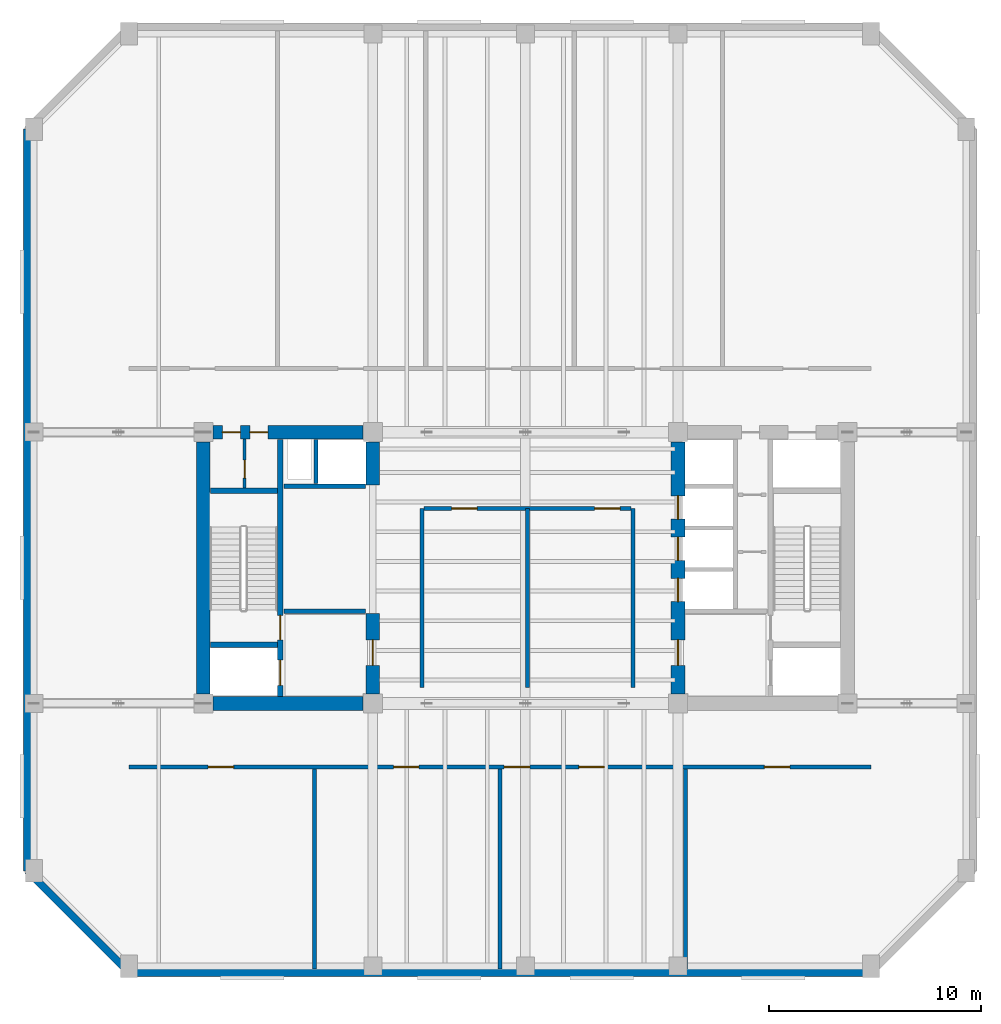
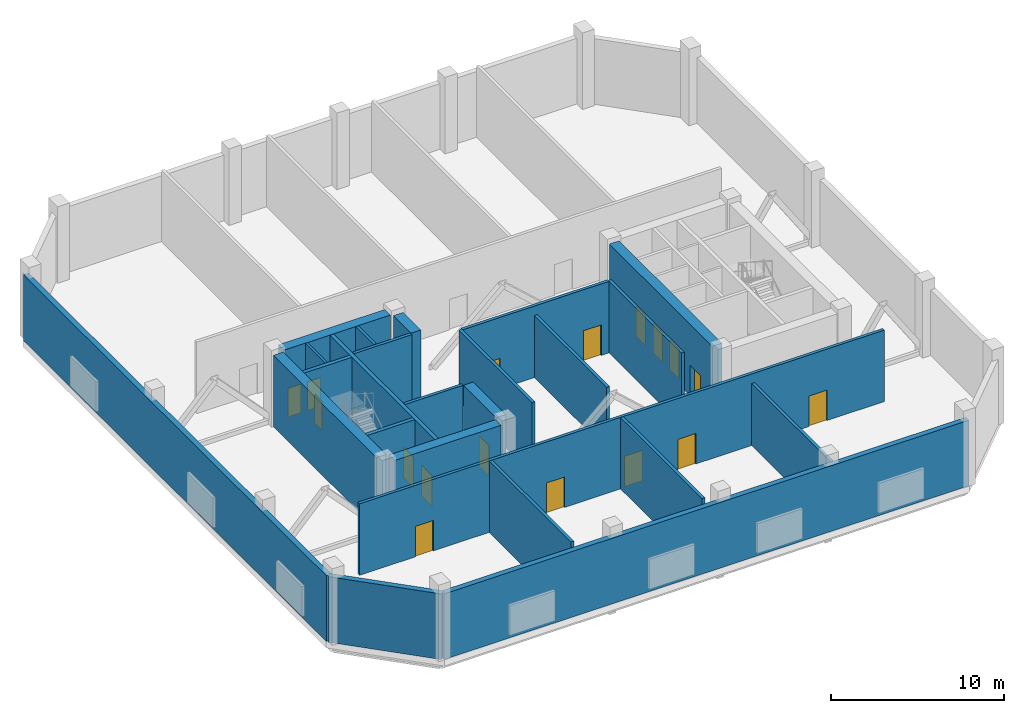
# One storey, part 5 of 9: 24 walls, 17 doors, 17 openings.
"""IFC4 building model written with IfcOpenShell, lengths in metres."""

from ifc_helpers import new_model, si_unit, direction, frame, frame_2d, origin, place, context, subcontext, project, spatial, rectangle, extrude, material, layer, layer_set, type_object, element, fill, save


model = new_model("IFC4")

# Units and contexts
model_context = context("Model", 3, precision=1e-05, world=origin(), true_north=direction((0.0, 1.0)))
body_context = subcontext(model_context, "Body", "Model", "MODEL_VIEW")
ifc_project = project(units=[si_unit("LENGTHUNIT", "METRE"), si_unit("AREAUNIT", "SQUARE_METRE"), si_unit("VOLUMEUNIT", "CUBIC_METRE"), si_unit("PLANEANGLEUNIT", "RADIAN"), si_unit("MASSUNIT", "GRAM", prefix="KILO")], contexts=[model_context])

# Site, building, storey
site_placement = place(None, origin())
site = spatial("IfcSite", under=ifc_project, at=site_placement, CompositionType="ELEMENT")
building_placement = place(site_placement, origin())
building = spatial("IfcBuilding", under=site, at=building_placement, Name="Kranthara Brick Stack", CompositionType="ELEMENT")
storey_placement = place(building_placement, frame((0.0, 0.0, 197.300048828125)))
storey = spatial("IfcBuildingStorey", under=building, at=storey_placement, Name="L51", CompositionType="ELEMENT", Elevation=197.300048828125)

# Walls
ifc_material_1 = material(Name="Kiln-fired clay brick masonry M15", Category="masonry")
ifc_layer_1 = layer(ifc_material_1, 0.35009765625)
ifc_layer_set_1 = layer_set([ifc_layer_1], Name="Kiln-fired clay brick masonry M15")
wall_type_1 = type_object("IfcWallType", Name="WL-BRK-SPND-350", PredefinedType="STANDARD", material=ifc_layer_set_1)
wall_1_placement = place(storey_placement, frame((44.300048828125, 8.094970703125, 0.0), z_axis=(0.0, 0.0, 1.0), x_axis=(-1.0, 0.0, 0.0)))
element("IfcWall", 1, at=wall_1_placement, inside=storey, type_object=wall_type_1, Name="L51 Exterior Brick Facade Wall SOUTH 1", PredefinedType="STANDARD", context=body_context, shape_type="SweptSolid", body=[
    extrude(rectangle(XDim=35.0, YDim=0.35009765625, at=frame_2d((17.5, 0.0))), origin(), (0.0, 0.0, 1.0), 4.625),
])
wall_2_placement = place(storey_placement, frame((9.300048828125, 8.094970703125, 0.0), z_axis=(0.0, 0.0, 1.0), x_axis=(-0.707106781187, 0.707106781187, 0.0)))
element("IfcWall", 2, at=wall_2_placement, inside=storey, type_object=wall_type_1, Name="L51 Exterior Brick Facade Wall SW 1", PredefinedType="STANDARD", context=body_context, shape_type="SweptSolid", body=[
    extrude(rectangle(XDim=6.795166015625, YDim=0.35009765625, at=frame_2d((3.3974609375, 0.0))), origin(), (0.0, 0.0, 1.0), 4.625),
])
wall_3_placement = place(storey_placement, frame((4.4951171875, 12.89990234375, 0.0), z_axis=(0.0, 0.0, 1.0), x_axis=(0.0, 1.0, 0.0)))
element("IfcWall", 3, at=wall_3_placement, inside=storey, type_object=wall_type_1, Name="L51 Exterior Brick Facade Wall WEST 1", PredefinedType="STANDARD", context=body_context, shape_type="SweptSolid", body=[
    extrude(rectangle(XDim=35.0, YDim=0.35009765625, at=frame_2d((17.5, 0.0))), origin(), (0.0, 0.0, 1.0), 4.625),
])

# Wall, openings, doors
ifc_material_2 = material(Name="Concrete C50/60", Category="concrete")
ifc_layer_2 = layer(ifc_material_2, 0.25)
ifc_layer_set_2 = layer_set([ifc_layer_2], Name="Concrete C50/60")
wall_type_2 = type_object("IfcWallType", Name="WL-CORE-250", PredefinedType="SHEAR", material=ifc_layer_set_2)
wall_4_placement = place(storey_placement, frame((16.43505859375, 21.135009765625, 0.0), z_axis=(0.0, 0.0, 1.0), x_axis=(0.0, 1.0, 0.0)))
wall_4 = element("IfcWall", 4, at=wall_4_placement, inside=storey, type_object=wall_type_2, Name="L51 West Core Stair Bearing Spine Wall", PredefinedType="SHEAR", context=body_context, shape_type="SweptSolid", body=[
    extrude(rectangle(XDim=12.1298828125, YDim=0.25, at=frame_2d((6.06494140625, 0.0))), origin(), (0.0, 0.0, 1.0), 5.0400390625),
])
opening_1_placement = place(wall_4_placement, frame((0.514892578125, 0.0, 0.0)))
opening_1 = element("IfcOpeningElement", 5, at=opening_1_placement, cuts=wall_4, Name="Opening LD01", PredefinedType="OPENING", context=body_context, shape_type="SweptSolid", body=[
    extrude(rectangle(XDim=1.199951171875, YDim=2.14990234375, at=frame_2d((0.60009765625, 1.074951171875))), frame((0.0, 0.135009765625, 0.0), z_axis=(0.0, -1.0, 0.0), x_axis=(1.0, 0.0, 0.0)), (0.0, 0.0, 1.0), 0.27001953125),
])
opening_2_placement = place(wall_4_placement, frame((2.6650390625, 0.0, 0.0)))
opening_2 = element("IfcOpeningElement", 6, at=opening_2_placement, cuts=wall_4, Name="Opening D05", PredefinedType="OPENING", context=body_context, shape_type="SweptSolid", body=[
    extrude(rectangle(XDim=1.14990234375, YDim=2.14990234375, at=frame_2d((0.574951171875, 1.074951171875))), frame((0.0, 0.135009765625, 0.0), z_axis=(0.0, -1.0, 0.0), x_axis=(1.0, 0.0, 0.0)), (0.0, 0.0, 1.0), 0.27001953125),
])
ifc_material_3 = material(Name="Stainless steel sliding landing door", Category="steel")
door_type_1 = type_object("IfcDoorType", Name="DR-LD-FF1200", OperationType="DOUBLE_DOOR_SLIDING", PredefinedType="DOOR", material=ifc_material_3)
door_1_placement = place(opening_1_placement, origin())
door_1 = element("IfcDoor", 7, at=door_1_placement, inside=storey, type_object=door_type_1, Name="L51 Firefighting Lift FF-01 Landing Door", OperationType="DOUBLE_DOOR_SLIDING", OverallHeight=2.14990234375, OverallWidth=1.199951171875, PredefinedType="DOOR", context=body_context, shape_type="SweptSolid", body=[
    extrude(rectangle(XDim=1.199951171875, YDim=2.14990234375, at=frame_2d((0.60009765625, 1.074951171875))), frame((0.0, 0.02490234375, 0.0), z_axis=(0.0, -1.0, 0.0), x_axis=(1.0, 0.0, 0.0)), (0.0, 0.0, 1.0), 0.050048828125),
])
fill(opening_1, door_1)
ifc_material_4 = material(Name="Solid-core hardwood timber leaf in steel frame", Category="steel")
door_type_2 = type_object("IfcDoorType", Name="DR-ST-1150", OperationType="NOTDEFINED", PredefinedType="DOOR", material=ifc_material_4)
door_2_placement = place(opening_2_placement, origin())
door_2 = element("IfcDoor", 8, at=door_2_placement, inside=storey, type_object=door_type_2, Name="L51 Exit Stair ST01 Door", OperationType="SINGLE_SWING_RIGHT", OverallHeight=2.14990234375, OverallWidth=1.14990234375, PredefinedType="DOOR", context=body_context, shape_type="SweptSolid", body=[
    extrude(rectangle(XDim=1.14990234375, YDim=2.14990234375, at=frame_2d((0.574951171875, 1.074951171875))), frame((0.0, 0.02490234375, 0.0), z_axis=(0.0, -1.0, 0.0), x_axis=(1.0, 0.0, 0.0)), (0.0, 0.0, 1.0), 0.050048828125),
])
fill(opening_2, door_2)

# Walls
for number, where, z_axis, x_axis, name in (
    (9, (13.135009765625, 23.570068359375, 0.0), (0.0, 0.0, 1.0), (1.0, 0.0, 0.0), "L51 West Stairwell Bearing Wall WFF"),
    (10, (13.135009765625, 30.830078125, 0.0), (0.0, 0.0, 1.0), (1.0, 0.0, 0.0), "L51 West Stairwell Bearing Wall WST"),
):
    element("IfcWall", number, at=place(storey_placement, frame(where, z_axis=z_axis, x_axis=x_axis)), inside=storey, type_object=wall_type_2, Name=name, PredefinedType="SHEAR", context=body_context, shape_type="SweptSolid", body=[
        extrude(rectangle(XDim=3.175048828125, YDim=0.25, at=frame_2d((1.58740234375, 0.0))), origin(), (0.0, 0.0, 1.0), 5.0400390625),
    ])
ifc_material_5 = material(Name="Concrete C60/75", Category="concrete")
ifc_layer_3 = layer(ifc_material_5, 0.64990234375)
ifc_layer_set_3 = layer_set([ifc_layer_3], Name="Concrete C60/75")
wall_type_3 = type_object("IfcWallType", Name="WL-CORE-650", PredefinedType="SHEAR", material=ifc_layer_set_3)
wall_5_placement = place(storey_placement, frame((12.800048828125, 21.2548828125, 0.0), z_axis=(0.0, 0.0, 1.0), x_axis=(0.0, 1.0, 0.0)))
element("IfcWall", 11, at=wall_5_placement, inside=storey, type_object=wall_type_3, Name="L51 West Core Shear Wall West", PredefinedType="SHEAR", context=body_context, shape_type="SweptSolid", body=[
    extrude(rectangle(XDim=11.89013671875, YDim=0.64990234375, at=frame_2d((5.945068359375, 0.0))), origin(), (0.0, 0.0, 1.0), 5.0400390625),
])
wall_6_placement = place(storey_placement, frame((13.2548828125, 20.800048828125, 0.0), z_axis=(0.0, 0.0, 1.0), x_axis=(1.0, 0.0, 0.0)))
element("IfcWall", 12, at=wall_6_placement, inside=storey, type_object=wall_type_3, Name="L51 West Core Shear Wall South", PredefinedType="SHEAR", context=body_context, shape_type="SweptSolid", body=[
    extrude(rectangle(XDim=7.090087890625, YDim=0.64990234375, at=frame_2d((3.544921875, 0.0))), origin(), (0.0, 0.0, 1.0), 5.0400390625),
])

# Wall, openings, doors
wall_7_placement = place(storey_placement, frame((13.2548828125, 33.60009765625, 0.0), z_axis=(0.0, 0.0, 1.0), x_axis=(1.0, 0.0, 0.0)))
wall_7 = element("IfcWall", 13, at=wall_7_placement, inside=storey, type_object=wall_type_3, Name="L51 West Core Shear Wall North", PredefinedType="SHEAR", context=body_context, shape_type="SweptSolid", body=[
    extrude(rectangle(XDim=7.090087890625, YDim=0.64990234375, at=frame_2d((3.544921875, 0.0))), origin(), (0.0, 0.0, 1.0), 5.0400390625),
])
opening_3_placement = place(wall_7_placement, frame((0.445068359375, 0.0, 0.0)))
opening_3 = element("IfcOpeningElement", 14, at=opening_3_placement, cuts=wall_7, Name="Opening D10", PredefinedType="OPENING", context=body_context, shape_type="SweptSolid", body=[
    extrude(rectangle(XDim=0.85009765625, YDim=2.02001953125, at=frame_2d((0.425048828125, 1.010009765625))), frame((0.0, 0.3349609375, 0.0), z_axis=(0.0, -1.0, 0.0), x_axis=(1.0, 0.0, 0.0)), (0.0, 0.0, 1.0), 0.669921875),
])
opening_4_placement = place(wall_7_placement, frame((1.7451171875, 0.0, 0.0)))
opening_4 = element("IfcOpeningElement", 15, at=opening_4_placement, cuts=wall_7, Name="Opening D10", PredefinedType="OPENING", context=body_context, shape_type="SweptSolid", body=[
    extrude(rectangle(XDim=0.85009765625, YDim=2.02001953125, at=frame_2d((0.425048828125, 1.010009765625))), frame((0.0, 0.3349609375, 0.0), z_axis=(0.0, -1.0, 0.0), x_axis=(1.0, 0.0, 0.0)), (0.0, 0.0, 1.0), 0.669921875),
])
ifc_material_6 = material(Name="Solid-core hardwood timber leaf in steel frame", Category="steel")
door_type_3 = type_object("IfcDoorType", Name="DR-RSR-850", OperationType="NOTDEFINED", PredefinedType="DOOR", material=ifc_material_6)
door_3_placement = place(opening_3_placement, origin())
door_3 = element("IfcDoor", 16, at=door_3_placement, inside=storey, type_object=door_type_3, Name="L51 West Core Service Door 1", OperationType="SINGLE_SWING_LEFT", OverallHeight=2.02001953125, OverallWidth=0.85009765625, PredefinedType="DOOR", context=body_context, shape_type="SweptSolid", body=[
    extrude(rectangle(XDim=0.85009765625, YDim=2.02001953125, at=frame_2d((0.425048828125, 1.010009765625))), frame((0.0, 0.02490234375, 0.0), z_axis=(0.0, -1.0, 0.0), x_axis=(1.0, 0.0, 0.0)), (0.0, 0.0, 1.0), 0.050048828125),
])
fill(opening_3, door_3)
door_4_placement = place(opening_4_placement, origin())
door_4 = element("IfcDoor", 17, at=door_4_placement, inside=storey, type_object=door_type_3, Name="L51 West Core Service Door 2", OperationType="SINGLE_SWING_RIGHT", OverallHeight=2.02001953125, OverallWidth=0.85009765625, PredefinedType="DOOR", context=body_context, shape_type="SweptSolid", body=[
    extrude(rectangle(XDim=0.85009765625, YDim=2.02001953125, at=frame_2d((0.425048828125, 1.010009765625))), frame((0.0, 0.02490234375, 0.0), z_axis=(0.0, -1.0, 0.0), x_axis=(1.0, 0.0, 0.0)), (0.0, 0.0, 1.0), 0.050048828125),
])
fill(opening_4, door_4)

# Wall, opening, door
wall_8_placement = place(storey_placement, frame((20.800048828125, 21.2548828125, 0.0), z_axis=(0.0, 0.0, 1.0), x_axis=(0.0, 1.0, 0.0)))
wall_8 = element("IfcWall", 18, at=wall_8_placement, inside=storey, type_object=wall_type_3, Name="L51 West Core Lobby Shear Wall", PredefinedType="SHEAR", context=body_context, shape_type="SweptSolid", body=[
    extrude(rectangle(XDim=3.795166015625, YDim=0.64990234375, at=frame_2d((1.8974609375, 0.0))), origin(), (0.0, 0.0, 1.0), 5.0400390625),
])
opening_5_placement = place(wall_8_placement, frame((1.344970703125, 0.0, 0.0)))
opening_5 = element("IfcOpeningElement", 19, at=opening_5_placement, cuts=wall_8, Name="Opening D06", PredefinedType="OPENING", context=body_context, shape_type="SweptSolid", body=[
    extrude(rectangle(XDim=1.199951171875, YDim=2.14990234375, at=frame_2d((0.60009765625, 1.074951171875))), frame((0.0, 0.3349609375, 0.0), z_axis=(0.0, -1.0, 0.0), x_axis=(1.0, 0.0, 0.0)), (0.0, 0.0, 1.0), 0.669921875),
])
ifc_material_7 = material(Name="Solid-core hardwood timber leaf in steel frame", Category="steel")
door_type_4 = type_object("IfcDoorType", Name="DR-FFL-1200", OperationType="NOTDEFINED", PredefinedType="DOOR", material=ifc_material_7)
door_5_placement = place(opening_5_placement, origin())
door_5 = element("IfcDoor", 20, at=door_5_placement, inside=storey, type_object=door_type_4, Name="L51 West Firefighting Lobby Door", OperationType="SINGLE_SWING_LEFT", OverallHeight=2.14990234375, OverallWidth=1.199951171875, PredefinedType="DOOR", context=body_context, shape_type="SweptSolid", body=[
    extrude(rectangle(XDim=1.199951171875, YDim=2.14990234375, at=frame_2d((0.60009765625, 1.074951171875))), frame((0.0, 0.02490234375, 0.0), z_axis=(0.0, -1.0, 0.0), x_axis=(1.0, 0.0, 0.0)), (0.0, 0.0, 1.0), 0.050048828125),
])
fill(opening_5, door_5)

# Wall
wall_9_placement = place(storey_placement, frame((20.800048828125, 31.10009765625, 0.0), z_axis=(0.0, 0.0, 1.0), x_axis=(0.0, 1.0, 0.0)))
element("IfcWall", 21, at=wall_9_placement, inside=storey, type_object=wall_type_3, Name="L51 West Core High-Rise Lift Wall", PredefinedType="SHEAR", context=body_context, shape_type="SweptSolid", body=[
    extrude(rectangle(XDim=2.044921875, YDim=0.64990234375, at=frame_2d((1.0224609375, 0.0))), origin(), (0.0, 0.0, 1.0), 5.0400390625),
])

# Wall, openings, doors
wall_10_placement = place(storey_placement, frame((35.199951171875, 21.2548828125, 0.0), z_axis=(0.0, 0.0, 1.0), x_axis=(0.0, 1.0, 0.0)))
wall_10 = element("IfcWall", 22, at=wall_10_placement, inside=storey, type_object=wall_type_3, Name="L51 East Core Shear Wall West", PredefinedType="SHEAR", context=body_context, shape_type="SweptSolid", body=[
    extrude(rectangle(XDim=11.89013671875, YDim=0.64990234375, at=frame_2d((5.945068359375, 0.0))), origin(), (0.0, 0.0, 1.0), 5.0400390625),
])
opening_6_placement = place(wall_10_placement, frame((1.344970703125, 0.0, 0.0)))
opening_6 = element("IfcOpeningElement", 23, at=opening_6_placement, cuts=wall_10, Name="Opening D06", PredefinedType="OPENING", context=body_context, shape_type="SweptSolid", body=[
    extrude(rectangle(XDim=1.199951171875, YDim=2.14990234375, at=frame_2d((0.60009765625, 1.074951171875))), frame((0.0, 0.3349609375, 0.0), z_axis=(0.0, -1.0, 0.0), x_axis=(1.0, 0.0, 0.0)), (0.0, 0.0, 1.0), 0.669921875),
])
opening_7_placement = place(wall_10_placement, frame((4.344970703125, 0.0, 0.0)))
opening_7 = element("IfcOpeningElement", 24, at=opening_7_placement, cuts=wall_10, Name="Opening LD02", PredefinedType="OPENING", context=body_context, shape_type="SweptSolid", body=[
    extrude(rectangle(XDim=1.10009765625, YDim=2.10009765625, at=frame_2d((0.550048828125, 1.050048828125))), frame((0.0, 0.3349609375, 0.0), z_axis=(0.0, -1.0, 0.0), x_axis=(1.0, 0.0, 0.0)), (0.0, 0.0, 1.0), 0.669921875),
])
opening_8_placement = place(wall_10_placement, frame((6.294921875, 0.0, 0.0)))
opening_8 = element("IfcOpeningElement", 25, at=opening_8_placement, cuts=wall_10, Name="Opening LD02", PredefinedType="OPENING", context=body_context, shape_type="SweptSolid", body=[
    extrude(rectangle(XDim=1.10009765625, YDim=2.10009765625, at=frame_2d((0.550048828125, 1.050048828125))), frame((0.0, 0.3349609375, 0.0), z_axis=(0.0, -1.0, 0.0), x_axis=(1.0, 0.0, 0.0)), (0.0, 0.0, 1.0), 0.669921875),
])
opening_9_placement = place(wall_10_placement, frame((8.2451171875, 0.0, 0.0)))
opening_9 = element("IfcOpeningElement", 26, at=opening_9_placement, cuts=wall_10, Name="Opening LD02", PredefinedType="OPENING", context=body_context, shape_type="SweptSolid", body=[
    extrude(rectangle(XDim=1.10009765625, YDim=2.10009765625, at=frame_2d((0.550048828125, 1.050048828125))), frame((0.0, 0.3349609375, 0.0), z_axis=(0.0, -1.0, 0.0), x_axis=(1.0, 0.0, 0.0)), (0.0, 0.0, 1.0), 0.669921875),
])
door_6_placement = place(opening_6_placement, origin())
door_6 = element("IfcDoor", 27, at=door_6_placement, inside=storey, type_object=door_type_4, Name="L51 East Firefighting Lobby Door", OperationType="SINGLE_SWING_RIGHT", OverallHeight=2.14990234375, OverallWidth=1.199951171875, PredefinedType="DOOR", context=body_context, shape_type="SweptSolid", body=[
    extrude(rectangle(XDim=1.199951171875, YDim=2.14990234375, at=frame_2d((0.60009765625, 1.074951171875))), frame((0.0, 0.02490234375, 0.0), z_axis=(0.0, -1.0, 0.0), x_axis=(1.0, 0.0, 0.0)), (0.0, 0.0, 1.0), 0.050048828125),
])
fill(opening_6, door_6)
ifc_material_8 = material(Name="Stainless steel sliding landing door", Category="steel")
door_type_5 = type_object("IfcDoorType", Name="DR-LD-PL1100", OperationType="DOUBLE_DOOR_SLIDING", PredefinedType="DOOR", material=ifc_material_8)
door_7_placement = place(opening_7_placement, origin())
door_7 = element("IfcDoor", 28, at=door_7_placement, inside=storey, type_object=door_type_5, Name="L51 PL-04 Lift Landing Door", OperationType="DOUBLE_DOOR_SLIDING", OverallHeight=2.10009765625, OverallWidth=1.10009765625, PredefinedType="DOOR", context=body_context, shape_type="SweptSolid", body=[
    extrude(rectangle(XDim=1.10009765625, YDim=2.10009765625, at=frame_2d((0.550048828125, 1.050048828125))), frame((0.0, 0.02490234375, 0.0), z_axis=(0.0, -1.0, 0.0), x_axis=(1.0, 0.0, 0.0)), (0.0, 0.0, 1.0), 0.050048828125),
])
fill(opening_7, door_7)
door_8_placement = place(opening_8_placement, origin())
door_8 = element("IfcDoor", 29, at=door_8_placement, inside=storey, type_object=door_type_5, Name="L51 PL-05 Lift Landing Door", OperationType="DOUBLE_DOOR_SLIDING", OverallHeight=2.10009765625, OverallWidth=1.10009765625, PredefinedType="DOOR", context=body_context, shape_type="SweptSolid", body=[
    extrude(rectangle(XDim=1.10009765625, YDim=2.10009765625, at=frame_2d((0.550048828125, 1.050048828125))), frame((0.0, 0.02490234375, 0.0), z_axis=(0.0, -1.0, 0.0), x_axis=(1.0, 0.0, 0.0)), (0.0, 0.0, 1.0), 0.050048828125),
])
fill(opening_8, door_8)
door_9_placement = place(opening_9_placement, origin())
door_9 = element("IfcDoor", 30, at=door_9_placement, inside=storey, type_object=door_type_5, Name="L51 PL-06 Lift Landing Door", OperationType="DOUBLE_DOOR_SLIDING", OverallHeight=2.10009765625, OverallWidth=1.10009765625, PredefinedType="DOOR", context=body_context, shape_type="SweptSolid", body=[
    extrude(rectangle(XDim=1.10009765625, YDim=2.10009765625, at=frame_2d((0.550048828125, 1.050048828125))), frame((0.0, 0.02490234375, 0.0), z_axis=(0.0, -1.0, 0.0), x_axis=(1.0, 0.0, 0.0)), (0.0, 0.0, 1.0), 0.050048828125),
])
fill(opening_9, door_9)

# Wall, opening, door
ifc_material_9 = material(Name="Fire-rated gypsum board partition", Category="other")
ifc_layer_4 = layer(ifc_material_9, 0.14990234375)
ifc_layer_set_4 = layer_set([ifc_layer_4], Name="Fire-rated gypsum board partition")
wall_type_4 = type_object("IfcWallType", Name="WL-PART-150", PredefinedType="PARTITIONING", material=ifc_layer_set_4)
wall_11_placement = place(storey_placement, frame((14.75, 30.9599609375, 0.0), z_axis=(0.0, 0.0, 1.0), x_axis=(0.0, 1.0, 0.0)))
wall_11 = element("IfcWall", 31, at=wall_11_placement, inside=storey, type_object=wall_type_4, Name="L51 Interior Partition 001", PredefinedType="PARTITIONING", context=body_context, shape_type="SweptSolid", body=[
    extrude(rectangle(XDim=2.31005859375, YDim=0.14990234375, at=frame_2d((1.155029296875, 0.0))), origin(), (0.0, 0.0, 1.0), 5.0400390625),
])
opening_10_placement = place(wall_11_placement, frame((0.469970703125, 0.0, 0.0)))
opening_10 = element("IfcOpeningElement", 32, at=opening_10_placement, cuts=wall_11, Name="Opening D10", PredefinedType="OPENING", context=body_context, shape_type="SweptSolid", body=[
    extrude(rectangle(XDim=0.85009765625, YDim=2.02001953125, at=frame_2d((0.425048828125, 1.010009765625))), frame((0.0, 0.0849609375, 0.0), z_axis=(0.0, -1.0, 0.0), x_axis=(1.0, 0.0, 0.0)), (0.0, 0.0, 1.0), 0.169921875),
])
door_10_placement = place(opening_10_placement, origin())
door_10 = element("IfcDoor", 33, at=door_10_placement, inside=storey, type_object=door_type_3, Name="L51 Service Interconnect 01", OperationType="SINGLE_SWING_LEFT", OverallHeight=2.02001953125, OverallWidth=0.85009765625, PredefinedType="DOOR", context=body_context, shape_type="SweptSolid", body=[
    extrude(rectangle(XDim=0.85009765625, YDim=2.02001953125, at=frame_2d((0.425048828125, 1.010009765625))), frame((0.0, 0.02490234375, 0.0), z_axis=(0.0, -1.0, 0.0), x_axis=(1.0, 0.0, 0.0)), (0.0, 0.0, 1.0), 0.050048828125),
])
fill(opening_10, door_10)

# Walls
ifc_material_10 = material(Name="Gypsum plasterboard on acoustic twin stud", Category="other")
ifc_layer_5 = layer(ifc_material_10, 0.179931640625)
ifc_layer_set_5 = layer_set([ifc_layer_5], Name="Gypsum plasterboard on acoustic twin stud")
wall_type_5 = type_object("IfcWallType", Name="WL-PART-180", PredefinedType="PARTITIONING", material=ifc_layer_set_5)
wall_12_placement = place(storey_placement, frame((18.1201171875, 31.169921875, 0.0), z_axis=(0.0, 0.0, 1.0), x_axis=(0.0, 1.0, 0.0)))
element("IfcWall", 34, at=wall_12_placement, inside=storey, type_object=wall_type_5, Name="L51 PL-07 Shaft Back Wall", PredefinedType="PARTITIONING", context=body_context, shape_type="SweptSolid", body=[
    extrude(rectangle(XDim=2.094970703125, YDim=0.179931640625, at=frame_2d((1.04736328125, 0.0))), origin(), (0.0, 0.0, 1.0), 5.0400390625),
])
ifc_material_11 = material(Name="Concrete C40/50", Category="concrete")
ifc_layer_6 = layer(ifc_material_11, 0.199951171875)
ifc_layer_set_6 = layer_set([ifc_layer_6], Name="Concrete C40/50")
wall_type_6 = type_object("IfcWallType", Name="WL-PART-200", PredefinedType="SOLIDWALL", material=ifc_layer_set_6)
for number, where, z_axis, x_axis, name in (
    (35, (16.60009765625, 25.14990234375, 0.0), (0.0, 0.0, 1.0), (1.0, 0.0, 0.0), "L51 West Core Cross Wall WFL"),
    (36, (16.60009765625, 31.050048828125, 0.0), (0.0, 0.0, 1.0), (1.0, 0.0, 0.0), "L51 West Core Cross Wall WH4"),
):
    element("IfcWall", number, at=place(storey_placement, frame(where, z_axis=z_axis, x_axis=x_axis)), inside=storey, type_object=wall_type_6, Name=name, PredefinedType="SOLIDWALL", context=body_context, shape_type="SweptSolid", body=[
        extrude(rectangle(XDim=3.849853515625, YDim=0.199951171875, at=frame_2d((1.9248046875, 0.0))), origin(), (0.0, 0.0, 1.0), 5.0400390625),
    ])

# Wall, openings, doors
wall_13_placement = place(storey_placement, frame((9.300048828125, 17.800048828125, 0.0), z_axis=(0.0, 0.0, 1.0), x_axis=(1.0, 0.0, 0.0)))
wall_13 = element("IfcWall", 37, at=wall_13_placement, inside=storey, type_object=wall_type_6, Name="L51 Interior Partition 004", PredefinedType="SOLIDWALL", context=body_context, shape_type="SweptSolid", body=[
    extrude(rectangle(XDim=35.0, YDim=0.199951171875, at=frame_2d((17.5, 0.0))), origin(), (0.0, 0.0, 1.0), 5.0400390625),
])
opening_11_placement = place(wall_13_placement, frame((3.72509765625, 0.0, 0.0)))
opening_11 = element("IfcOpeningElement", 38, at=opening_11_placement, cuts=wall_13, Name="Opening D21", PredefinedType="OPENING", context=body_context, shape_type="SweptSolid", body=[
    extrude(rectangle(XDim=1.199951171875, YDim=2.14990234375, at=frame_2d((0.60009765625, 1.074951171875))), frame((0.0, 0.10986328125, 0.0), z_axis=(0.0, -1.0, 0.0), x_axis=(1.0, 0.0, 0.0)), (0.0, 0.0, 1.0), 0.219970703125),
])
opening_12_placement = place(wall_13_placement, frame((12.47509765625, 0.0, 0.0)))
opening_12 = element("IfcOpeningElement", 39, at=opening_12_placement, cuts=wall_13, Name="Opening D21", PredefinedType="OPENING", context=body_context, shape_type="SweptSolid", body=[
    extrude(rectangle(XDim=1.199951171875, YDim=2.14990234375, at=frame_2d((0.60009765625, 1.074951171875))), frame((0.0, 0.10986328125, 0.0), z_axis=(0.0, -1.0, 0.0), x_axis=(1.0, 0.0, 0.0)), (0.0, 0.0, 1.0), 0.219970703125),
])
opening_13_placement = place(wall_13_placement, frame((21.22509765625, 0.0, 0.0)))
opening_13 = element("IfcOpeningElement", 40, at=opening_13_placement, cuts=wall_13, Name="Opening D21", PredefinedType="OPENING", context=body_context, shape_type="SweptSolid", body=[
    extrude(rectangle(XDim=1.199951171875, YDim=2.14990234375, at=frame_2d((0.60009765625, 1.074951171875))), frame((0.0, 0.10986328125, 0.0), z_axis=(0.0, -1.0, 0.0), x_axis=(1.0, 0.0, 0.0)), (0.0, 0.0, 1.0), 0.219970703125),
])
opening_14_placement = place(wall_13_placement, frame((29.97509765625, 0.0, 0.0)))
opening_14 = element("IfcOpeningElement", 41, at=opening_14_placement, cuts=wall_13, Name="Opening D21", PredefinedType="OPENING", context=body_context, shape_type="SweptSolid", body=[
    extrude(rectangle(XDim=1.199951171875, YDim=2.14990234375, at=frame_2d((0.60009765625, 1.074951171875))), frame((0.0, 0.10986328125, 0.0), z_axis=(0.0, -1.0, 0.0), x_axis=(1.0, 0.0, 0.0)), (0.0, 0.0, 1.0), 0.219970703125),
])
opening_15_placement = place(wall_13_placement, frame((17.699951171875, 0.0, 0.0)))
opening_15 = element("IfcOpeningElement", 42, at=opening_15_placement, cuts=wall_13, Name="Opening VG02", PredefinedType="OPENING", context=body_context, shape_type="SweptSolid", body=[
    extrude(rectangle(XDim=1.199951171875, YDim=2.14990234375, at=frame_2d((0.60009765625, 1.074951171875))), frame((0.0, 0.10986328125, 0.0), z_axis=(0.0, -1.0, 0.0), x_axis=(1.0, 0.0, 0.0)), (0.0, 0.0, 1.0), 0.219970703125),
])
ifc_material_12 = material(Name="Solid-core hardwood timber leaf in steel frame", Category="steel")
door_type_6 = type_object("IfcDoorType", Name="DR-FD-1200", OperationType="NOTDEFINED", PredefinedType="DOOR", material=ifc_material_12)
door_11_placement = place(opening_11_placement, origin())
door_11 = element("IfcDoor", 43, at=door_11_placement, inside=storey, type_object=door_type_6, Name="L51 PLT-01 06", OperationType="SINGLE_SWING_RIGHT", OverallHeight=2.14990234375, OverallWidth=1.199951171875, PredefinedType="DOOR", context=body_context, shape_type="SweptSolid", body=[
    extrude(rectangle(XDim=1.199951171875, YDim=2.14990234375, at=frame_2d((0.60009765625, 1.074951171875))), frame((0.0, 0.02490234375, 0.0), z_axis=(0.0, -1.0, 0.0), x_axis=(1.0, 0.0, 0.0)), (0.0, 0.0, 1.0), 0.050048828125),
])
fill(opening_11, door_11)
door_12_placement = place(opening_12_placement, origin())
door_12 = element("IfcDoor", 44, at=door_12_placement, inside=storey, type_object=door_type_6, Name="L51 REF-S 07", OperationType="SINGLE_SWING_LEFT", OverallHeight=2.14990234375, OverallWidth=1.199951171875, PredefinedType="DOOR", context=body_context, shape_type="SweptSolid", body=[
    extrude(rectangle(XDim=1.199951171875, YDim=2.14990234375, at=frame_2d((0.60009765625, 1.074951171875))), frame((0.0, 0.02490234375, 0.0), z_axis=(0.0, -1.0, 0.0), x_axis=(1.0, 0.0, 0.0)), (0.0, 0.0, 1.0), 0.050048828125),
])
fill(opening_12, door_12)
door_13_placement = place(opening_13_placement, origin())
door_13 = element("IfcDoor", 45, at=door_13_placement, inside=storey, type_object=door_type_6, Name="L51 PLT-02 08", OperationType="SINGLE_SWING_RIGHT", OverallHeight=2.14990234375, OverallWidth=1.199951171875, PredefinedType="DOOR", context=body_context, shape_type="SweptSolid", body=[
    extrude(rectangle(XDim=1.199951171875, YDim=2.14990234375, at=frame_2d((0.60009765625, 1.074951171875))), frame((0.0, 0.02490234375, 0.0), z_axis=(0.0, -1.0, 0.0), x_axis=(1.0, 0.0, 0.0)), (0.0, 0.0, 1.0), 0.050048828125),
])
fill(opening_13, door_13)
door_14_placement = place(opening_14_placement, origin())
door_14 = element("IfcDoor", 46, at=door_14_placement, inside=storey, type_object=door_type_6, Name="L51 PLT-03 09", OperationType="SINGLE_SWING_LEFT", OverallHeight=2.14990234375, OverallWidth=1.199951171875, PredefinedType="DOOR", context=body_context, shape_type="SweptSolid", body=[
    extrude(rectangle(XDim=1.199951171875, YDim=2.14990234375, at=frame_2d((0.60009765625, 1.074951171875))), frame((0.0, 0.02490234375, 0.0), z_axis=(0.0, -1.0, 0.0), x_axis=(1.0, 0.0, 0.0)), (0.0, 0.0, 1.0), 0.050048828125),
])
fill(opening_14, door_14)
ifc_material_13 = material(Name="Powder-coated galvanized steel sheet", Category="steel")
door_type_7 = type_object("IfcDoorType", Name="DR-PGATE-1200", OperationType="NOTDEFINED", PredefinedType="GATE", material=ifc_material_13)
door_15_placement = place(opening_15_placement, origin())
door_15 = element("IfcDoor", 47, at=door_15_placement, inside=storey, type_object=door_type_7, Name="L51 Mechanical Plant Security Gate", OperationType="SINGLE_SWING_LEFT", OverallHeight=2.14990234375, OverallWidth=1.199951171875, PredefinedType="GATE", context=body_context, shape_type="SweptSolid", body=[
    extrude(rectangle(XDim=1.199951171875, YDim=2.14990234375, at=frame_2d((0.60009765625, 1.074951171875))), frame((0.0, 0.02490234375, 0.0), z_axis=(0.0, -1.0, 0.0), x_axis=(1.0, 0.0, 0.0)), (0.0, 0.0, 1.0), 0.050048828125),
])
fill(opening_15, door_15)

# Walls
for number, where, z_axis, x_axis, name in (
    (48, (23.1201171875, 21.550048828125, 0.0), (0.0, 0.0, 1.0), (0.0, 1.0, 0.0), "L51 Interior Partition 006"),
    (49, (33.080078125, 21.550048828125, 0.0), (0.0, 0.0, 1.0), (0.0, 1.0, 0.0), "L51 Interior Partition 007"),
):
    element("IfcWall", number, at=place(storey_placement, frame(where, z_axis=z_axis, x_axis=x_axis)), inside=storey, type_object=wall_type_6, Name=name, PredefinedType="SOLIDWALL", context=body_context, shape_type="SweptSolid", body=[
        extrude(rectangle(XDim=8.449951171875, YDim=0.199951171875, at=frame_2d((4.22509765625, 0.0))), origin(), (0.0, 0.0, 1.0), 5.0400390625),
    ])
wall_14_placement = place(storey_placement, frame((28.10009765625, 21.550048828125, 0.0), z_axis=(0.0, 0.0, 1.0), x_axis=(0.0, 1.0, 0.0)))
element("IfcWall", 50, at=wall_14_placement, inside=storey, type_object=wall_type_6, Name="L51 Interior Partition 008", PredefinedType="SOLIDWALL", context=body_context, shape_type="SweptSolid", body=[
    extrude(rectangle(XDim=8.449951171875, YDim=0.199951171875, at=frame_2d((4.22509765625, 0.0))), origin(), (0.0, 0.0, 1.0), 4.375),
])

# Wall, openings, doors
wall_15_placement = place(storey_placement, frame((23.22509765625, 30.0, 0.0), z_axis=(0.0, 0.0, 1.0), x_axis=(1.0, 0.0, 0.0)))
wall_15 = element("IfcWall", 51, at=wall_15_placement, inside=storey, type_object=wall_type_6, Name="L51 Interior Partition 009", PredefinedType="SOLIDWALL", context=body_context, shape_type="SweptSolid", body=[
    extrude(rectangle(XDim=9.75, YDim=0.199951171875, at=frame_2d((4.875, 0.0))), origin(), (0.0, 0.0, 1.0), 5.0400390625),
])
opening_16_placement = place(wall_15_placement, frame((1.294921875, 0.0, 0.0)))
opening_16 = element("IfcOpeningElement", 52, at=opening_16_placement, cuts=wall_15, Name="Opening D21", PredefinedType="OPENING", context=body_context, shape_type="SweptSolid", body=[
    extrude(rectangle(XDim=1.199951171875, YDim=2.14990234375, at=frame_2d((0.60009765625, 1.074951171875))), frame((0.0, 0.10986328125, 0.0), z_axis=(0.0, -1.0, 0.0), x_axis=(1.0, 0.0, 0.0)), (0.0, 0.0, 1.0), 0.219970703125),
])
opening_17_placement = place(wall_15_placement, frame((8.044921875, 0.0, 0.0)))
opening_17 = element("IfcOpeningElement", 53, at=opening_17_placement, cuts=wall_15, Name="Opening D21", PredefinedType="OPENING", context=body_context, shape_type="SweptSolid", body=[
    extrude(rectangle(XDim=1.199951171875, YDim=2.14990234375, at=frame_2d((0.60009765625, 1.074951171875))), frame((0.0, 0.10986328125, 0.0), z_axis=(0.0, -1.0, 0.0), x_axis=(1.0, 0.0, 0.0)), (0.0, 0.0, 1.0), 0.219970703125),
])
door_16_placement = place(opening_16_placement, origin())
door_16 = element("IfcDoor", 54, at=door_16_placement, inside=storey, type_object=door_type_6, Name="L51 West Refuge Area Door 04", OperationType="SINGLE_SWING_RIGHT", OverallHeight=2.14990234375, OverallWidth=1.199951171875, PredefinedType="DOOR", context=body_context, shape_type="SweptSolid", body=[
    extrude(rectangle(XDim=1.199951171875, YDim=2.14990234375, at=frame_2d((0.60009765625, 1.074951171875))), frame((0.0, 0.02490234375, 0.0), z_axis=(0.0, -1.0, 0.0), x_axis=(1.0, 0.0, 0.0)), (0.0, 0.0, 1.0), 0.050048828125),
])
fill(opening_16, door_16)
door_17_placement = place(opening_17_placement, origin())
door_17 = element("IfcDoor", 55, at=door_17_placement, inside=storey, type_object=door_type_6, Name="L51 East Refuge Area Door 05", OperationType="SINGLE_SWING_LEFT", OverallHeight=2.14990234375, OverallWidth=1.199951171875, PredefinedType="DOOR", context=body_context, shape_type="SweptSolid", body=[
    extrude(rectangle(XDim=1.199951171875, YDim=2.14990234375, at=frame_2d((0.60009765625, 1.074951171875))), frame((0.0, 0.02490234375, 0.0), z_axis=(0.0, -1.0, 0.0), x_axis=(1.0, 0.0, 0.0)), (0.0, 0.0, 1.0), 0.050048828125),
])
fill(opening_17, door_17)

# Walls
for number, where, z_axis, x_axis, name in (
    (56, (18.050048828125, 8.27490234375, 0.0), (0.0, 0.0, 1.0), (0.0, 1.0, 0.0), "L51 Interior Partition 010"),
    (57, (26.800048828125, 8.27490234375, 0.0), (0.0, 0.0, 1.0), (0.0, 1.0, 0.0), "L51 Interior Partition 011"),
):
    element("IfcWall", number, at=place(storey_placement, frame(where, z_axis=z_axis, x_axis=x_axis)), inside=storey, type_object=wall_type_6, Name=name, PredefinedType="SOLIDWALL", context=body_context, shape_type="SweptSolid", body=[
        extrude(rectangle(XDim=9.420166015625, YDim=0.199951171875, at=frame_2d((4.7099609375, 0.0))), origin(), (0.0, 0.0, 1.0), 5.0400390625),
    ])
wall_16_placement = place(storey_placement, frame((35.550048828125, 8.27490234375, 0.0), z_axis=(0.0, 0.0, 1.0), x_axis=(0.0, 1.0, 0.0)))
element("IfcWall", 58, at=wall_16_placement, inside=storey, type_object=wall_type_6, Name="L51 Interior Partition 012", PredefinedType="SOLIDWALL", context=body_context, shape_type="SweptSolid", body=[
    extrude(rectangle(XDim=9.420166015625, YDim=0.199951171875, at=frame_2d((4.7099609375, 0.0))), origin(), (0.0, 0.0, 1.0), 4.375),
])

save(model, "model.ifc")
